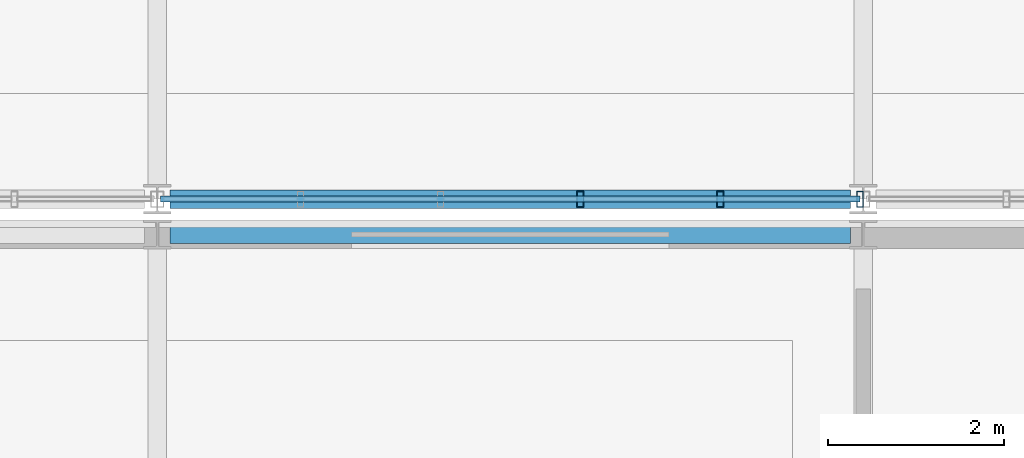
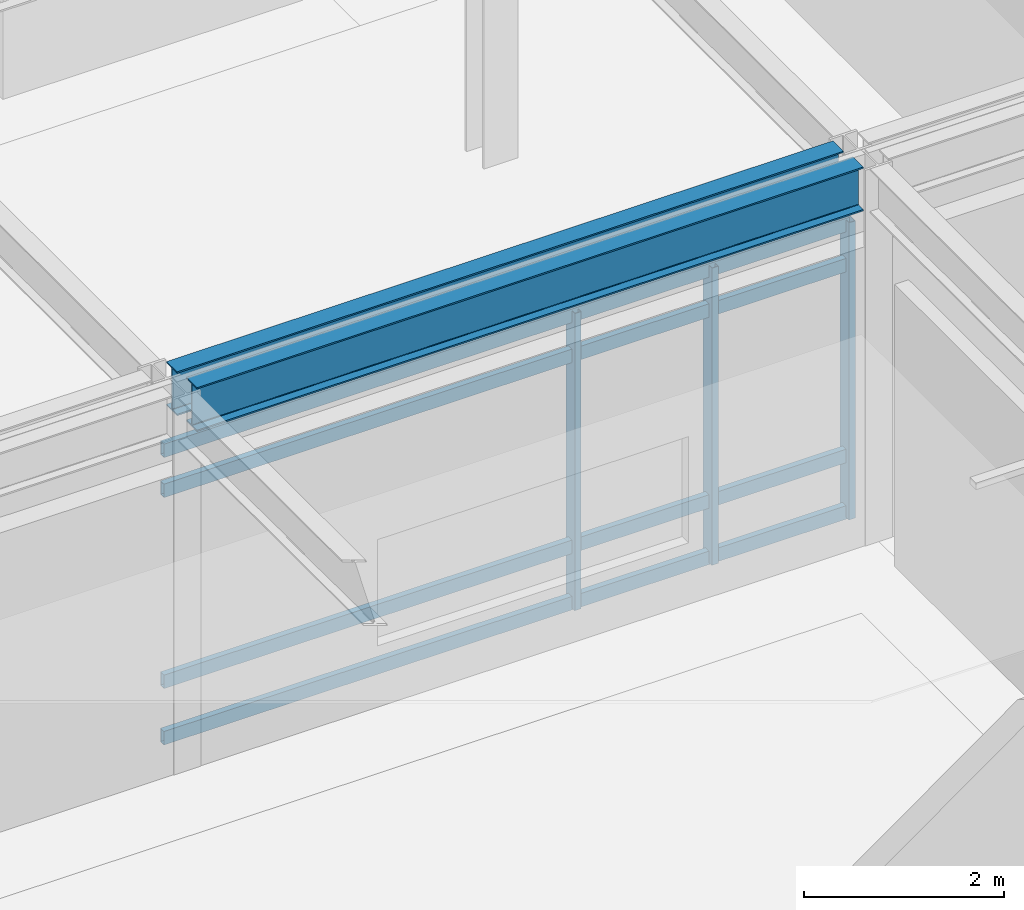
# One storey, part 62 of 104: 7 members, 2 beams, 1 element without a shape of its own.
"""IFC4 building model written with IfcOpenShell, lengths in metres."""

from ifc_helpers import new_model, si_unit, direction, frame, origin, origin_2d, place, context, subcontext, project, spatial, hollow_rectangle, i_section, extrude, material, material_profile, profile_set, type_object, element, aggregate, save


model = new_model("IFC4")

# Units and contexts
model_context = context("Model", 3, precision=1e-05, world=origin(), true_north=direction((0.0, 1.0)))
body_context = subcontext(model_context, "Body", "Model", "MODEL_VIEW")
ifc_project = project(units=[si_unit("LENGTHUNIT", "METRE"), si_unit("AREAUNIT", "SQUARE_METRE"), si_unit("VOLUMEUNIT", "CUBIC_METRE"), si_unit("PLANEANGLEUNIT", "RADIAN"), si_unit("MASSUNIT", "GRAM", prefix="KILO")], contexts=[model_context])

# Site, building, storey
site_placement = place(None, origin())
site = spatial("IfcSite", under=ifc_project, at=site_placement, CompositionType="ELEMENT")
building_placement = place(site_placement, origin())
building = spatial("IfcBuilding", under=site, at=building_placement, Name="Zulena Civic Courthouse", CompositionType="ELEMENT")
storey_placement = place(building_placement, frame((0.0, 0.0, 15.60009765625)))
storey = spatial("IfcBuildingStorey", under=building, at=storey_placement, Name="L03", CompositionType="ELEMENT", Elevation=15.60009765625)

# Curtain wall, members
ifc_material_1 = material(Name="Double-silver low-E laminated solar-control glass", Category="glass")
curtain_wall_type = type_object("IfcCurtainWallType", Name="CW_7928x3635", PredefinedType="USERDEFINED", material=ifc_material_1)
curtain_wall_placement = place(storey_placement, origin())
curtain_wall = element("IfcCurtainWall", 1, at=curtain_wall_placement, inside=storey, type_object=curtain_wall_type, Name="cw:V3:L03:3:3", ObjectType="UNITISED CURTAIN WALL", PredefinedType="USERDEFINED")
ifc_material_2 = material(Name="Bronze anodised thermally broken aluminium AA6063-T6", Category="aluminium")
ifc_material_profile_1 = material_profile(ifc_material_2, hollow_rectangle(XDim=0.074951171875, YDim=0.179931640625, WallThickness=0.0048828125, at=origin_2d()), Name="CWM180X75X5")
ifc_profile_set_1 = profile_set([ifc_material_profile_1], Name="Bronze anodised thermally broken aluminium AA6063-T6")
member_type_1 = type_object("IfcMemberType", Name="CWMullion_180x75", PredefinedType="MULLION", material=ifc_profile_set_1)
member_1_placement = place(storey_placement, frame((147.964111328125, 30.800048828125, 0.0), z_axis=(0.0, 0.0, 1.0), x_axis=(1.0, 0.0, 0.0)))
member_1 = element("IfcMember", 2, at=member_1_placement, type_object=member_type_1, Name="cw:V3:L03:3:3:mull:0", PredefinedType="MULLION", context=body_context, shape_type="SweptSolid", body=[
    extrude(hollow_rectangle(XDim=0.074951171875, YDim=0.179931640625, WallThickness=0.0048828125, at=origin_2d()), origin(), (0.0, 0.0, 1.0), 3.635009765625),
])
member_2_placement = place(storey_placement, frame((146.37841796875, 30.800048828125, 0.0), z_axis=(0.0, 0.0, 1.0), x_axis=(1.0, 0.0, 0.0)))
member_2 = element("IfcMember", 3, at=member_2_placement, type_object=member_type_1, Name="cw:V3:L03:3:3:mull:1", PredefinedType="MULLION", context=body_context, shape_type="SweptSolid", body=[
    extrude(hollow_rectangle(XDim=0.074951171875, YDim=0.179931640625, WallThickness=0.0048828125, at=origin_2d()), origin(), (0.0, 0.0, 1.0), 3.635009765625),
])
member_3_placement = place(storey_placement, frame((144.792724609375, 30.800048828125, 0.0), z_axis=(0.0, 0.0, 1.0), x_axis=(1.0, 0.0, 0.0)))
member_3 = element("IfcMember", 4, at=member_3_placement, type_object=member_type_1, Name="cw:V3:L03:3:3:mull:2", PredefinedType="MULLION", context=body_context, shape_type="SweptSolid", body=[
    extrude(hollow_rectangle(XDim=0.074951171875, YDim=0.179931640625, WallThickness=0.0048828125, at=origin_2d()), origin(), (0.0, 0.0, 1.0), 3.635009765625),
])
ifc_material_profile_2 = material_profile(ifc_material_2, hollow_rectangle(XDim=0.070068359375, YDim=0.1650390625, WallThickness=0.00390625, at=origin_2d()), Name="CWT165X70X4")
ifc_profile_set_2 = profile_set([ifc_material_profile_2], Name="Bronze anodised thermally broken aluminium AA6063-T6")
member_type_2 = type_object("IfcMemberType", Name="CWTransom_165x70", PredefinedType="USERDEFINED", material=ifc_profile_set_2)
member_4_placement = place(storey_placement, frame((147.964111328125, 30.800048828125, 0.059814453125), z_axis=(-1.0, 0.0, 0.0), x_axis=(0.0, -1.0, 0.0)))
member_4 = element("IfcMember", 5, at=member_4_placement, type_object=member_type_2, Name="cw:V3:L03:3:3:tran:0", ObjectType="TRANSOM", PredefinedType="USERDEFINED", context=body_context, shape_type="SweptSolid", body=[
    extrude(hollow_rectangle(XDim=0.070068359375, YDim=0.1650390625, WallThickness=0.00390625, at=origin_2d()), origin(), (0.0, 0.0, 1.0), 7.92822265625),
])
member_5_placement = place(storey_placement, frame((147.964111328125, 30.800048828125, 0.75), z_axis=(-1.0, 0.0, 0.0), x_axis=(0.0, -1.0, 0.0)))
member_5 = element("IfcMember", 6, at=member_5_placement, type_object=member_type_2, Name="cw:V3:L03:3:3:tran:1", ObjectType="TRANSOM", PredefinedType="USERDEFINED", context=body_context, shape_type="SweptSolid", body=[
    extrude(hollow_rectangle(XDim=0.070068359375, YDim=0.1650390625, WallThickness=0.00390625, at=origin_2d()), origin(), (0.0, 0.0, 1.0), 7.92822265625),
])
member_6_placement = place(storey_placement, frame((147.964111328125, 30.800048828125, 3.0849609375), z_axis=(-1.0, 0.0, 0.0), x_axis=(0.0, -1.0, 0.0)))
member_6 = element("IfcMember", 7, at=member_6_placement, type_object=member_type_2, Name="cw:V3:L03:3:3:tran:2", ObjectType="TRANSOM", PredefinedType="USERDEFINED", context=body_context, shape_type="SweptSolid", body=[
    extrude(hollow_rectangle(XDim=0.070068359375, YDim=0.1650390625, WallThickness=0.00390625, at=origin_2d()), origin(), (0.0, 0.0, 1.0), 7.92822265625),
])
member_7_placement = place(storey_placement, frame((147.964111328125, 30.800048828125, 3.574951171875), z_axis=(-1.0, 0.0, 0.0), x_axis=(0.0, -1.0, 0.0)))
member_7 = element("IfcMember", 8, at=member_7_placement, type_object=member_type_2, Name="cw:V3:L03:3:3:tran:3", ObjectType="TRANSOM", PredefinedType="USERDEFINED", context=body_context, shape_type="SweptSolid", body=[
    extrude(hollow_rectangle(XDim=0.070068359375, YDim=0.1650390625, WallThickness=0.00390625, at=origin_2d()), origin(), (0.0, 0.0, 1.0), 7.92822265625),
])
aggregate(curtain_wall, [member_1, member_2, member_3, member_4, member_5, member_6, member_7])

# Beams
ifc_material_3 = material(Name="Steel ASTM A992 Grade 50", Category="steel")
ifc_material_profile_3 = material_profile(ifc_material_3, i_section(OverallWidth=0.2099609375, OverallDepth=0.537109375, WebThickness=0.010986328125, FlangeThickness=0.017333984375, FilletRadius=0.0126953125, at=origin_2d()), Name="W21X68")
ifc_profile_set_3 = profile_set([ifc_material_profile_3], Name="Steel ASTM A992 Grade 50")
beam_type = type_object("IfcBeamType", Name="Spandrel_W21X68", PredefinedType="SPANDREL", material=ifc_profile_set_3)
for number, where, z_axis, x_axis, name in (
    (9, (140.14501953125, 30.39990234375, 4.326416015625), (1.0, 0.0, 0.0), (0.0, 1.0, 0.0), "beam:X:V1:L03:30.4:140.0_148.0"),
    (10, (140.14501953125, 30.800048828125, 4.2763671875), (1.0, 0.0, 0.0), (0.0, 1.0, 0.0), "beam:X:V3:L03:30.8:140.0_148.0"),
):
    element("IfcBeam", number, at=place(storey_placement, frame(where, z_axis=z_axis, x_axis=x_axis)), inside=storey, type_object=beam_type, Name=name, PredefinedType="SPANDREL", context=body_context, shape_type="SweptSolid", body=[
        extrude(i_section(OverallWidth=0.2099609375, OverallDepth=0.537109375, WebThickness=0.010986328125, FlangeThickness=0.017333984375, FilletRadius=0.0126953125, at=origin_2d()), origin(), (0.0, 0.0, 1.0), 7.7099609375),
    ])

save(model, "model.ifc")
